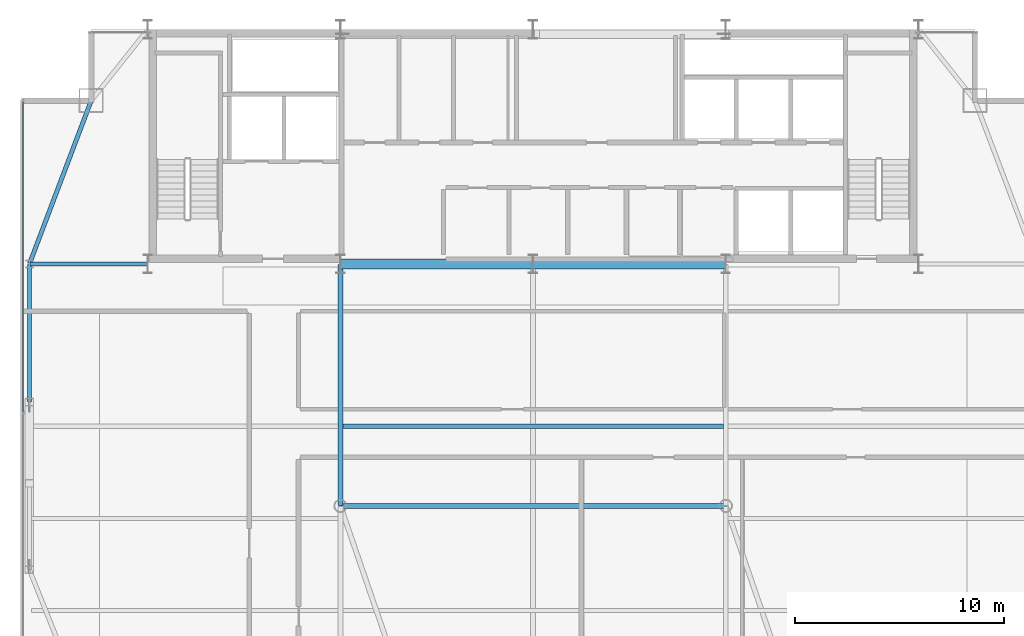
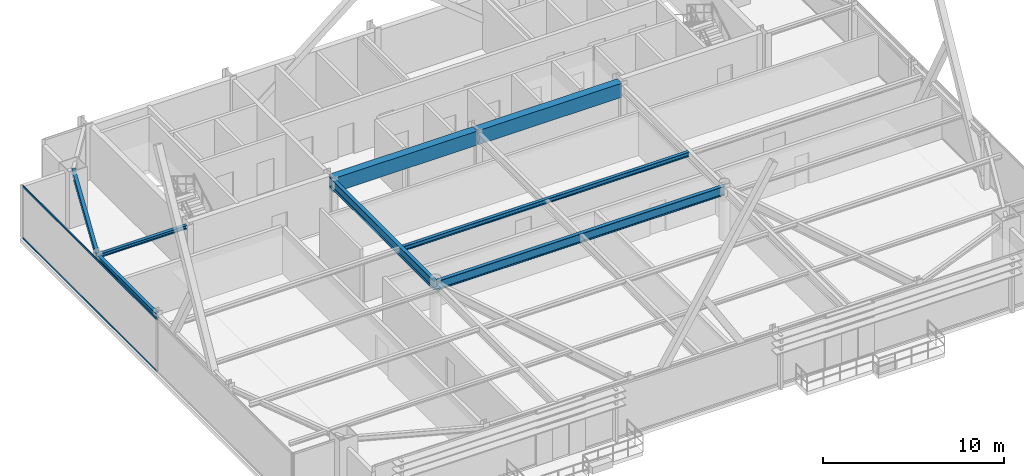
# One storey, part 11 of 31: 8 beams, 2 members, 1 element without a shape of its own.
"""IFC4 building model written with IfcOpenShell, lengths in metres."""

from ifc_helpers import new_model, si_unit, direction, frame, origin, origin_2d, place, context, subcontext, project, spatial, rectangle, hollow_rectangle, i_section, extrude, source, transform, mapped, material, layer, layer_set, material_profile, profile_set, type_object, type_shapes, element, aggregate, save


model = new_model("IFC4")

# Units and contexts
model_context = context("Model", 3, precision=1e-05, world=origin(), true_north=direction((0.0, 1.0)))
body_context = subcontext(model_context, "Body", "Model", "MODEL_VIEW")
ifc_project = project(units=[si_unit("LENGTHUNIT", "METRE"), si_unit("AREAUNIT", "SQUARE_METRE"), si_unit("VOLUMEUNIT", "CUBIC_METRE"), si_unit("PLANEANGLEUNIT", "RADIAN"), si_unit("MASSUNIT", "GRAM", prefix="KILO")], contexts=[model_context])

# Site, building, storey
site_placement = place(None, origin())
site = spatial("IfcSite", under=ifc_project, at=site_placement, CompositionType="ELEMENT")
building_placement = place(site_placement, origin())
building = spatial("IfcBuilding", under=site, at=building_placement, Name="Varnel Quay Broadcast Tower", CompositionType="ELEMENT")
storey_placement = place(building_placement, frame((0.0, 0.0, 239.39990234375)))
storey = spatial("IfcBuildingStorey", under=building, at=storey_placement, Name="L59", CompositionType="ELEMENT", Elevation=239.39990234375)

# Beams
ifc_material_1 = material(Name="Concrete CSA A23.3 C50/60", Category="concrete")
ifc_material_profile_1 = material_profile(ifc_material_1, rectangle(XDim=0.5, YDim=0.949951171875, at=origin_2d()), Name="RC500X950")
ifc_profile_set_1 = profile_set([ifc_material_profile_1], Name="Concrete CSA A23.3 C50/60")
beam_type_1 = type_object("IfcBeamType", Name="Beam_RC500X950", PredefinedType="BEAM", material=ifc_profile_set_1)
shared_shape_1 = source(origin(), body_context, "Body", "SweptSolid", [
    extrude(rectangle(XDim=0.5, YDim=0.949951171875, at=origin_2d()), origin(), (0.0, 0.0, 1.0), 9.159912109375),
])
type_shapes(beam_type_1, [shared_shape_1])
for number, where, z_axis, x_axis, name in (
    (1, (24.820068359375, 35.60009765625, 3.0751953125), (1.0, 0.0, 0.0), (0.0, 1.0, 0.0), "L59 Core Coupling Beam W"),
    (2, (34.02001953125, 35.60009765625, 3.0751953125), (1.0, 0.0, 0.0), (0.0, 1.0, 0.0), "L59 Core Coupling Beam E"),
):
    element("IfcBeam", number, at=place(storey_placement, frame(where, z_axis=z_axis, x_axis=x_axis)), inside=storey, type_object=beam_type_1, Name=name, PredefinedType="BEAM", context=body_context, shape_type="MappedRepresentation", body=[
        mapped(shared_shape_1, transform((0.0, 0.0, 0.0), x_axis=(1.0, 0.0, 0.0), y_axis=(0.0, 1.0, 0.0), z_axis=(0.0, 0.0, 1.0), scale=1.0)),
    ])
ifc_material_2 = material(Name="Structural Steel CSA G40.21 350W", Category="steel")
ifc_material_profile_2 = material_profile(ifc_material_2, i_section(OverallWidth=0.205078125, OverallDepth=0.35400390625, WebThickness=0.009521484375, FlangeThickness=0.016845703125, FilletRadius=0.012939453125, at=origin_2d()), Name="W360X79")
ifc_profile_set_2 = profile_set([ifc_material_profile_2], Name="Structural Steel CSA G40.21 350W")
beam_type_2 = type_object("IfcBeamType", Name="Beam_W360X79", PredefinedType="SPANDREL", material=ifc_profile_set_2)
shared_shape_2 = source(origin(), body_context, "Body", "SweptSolid", [
    extrude(i_section(OverallWidth=0.205078125, OverallDepth=0.35400390625, WebThickness=0.009521484375, FlangeThickness=0.016845703125, FilletRadius=0.012939453125, at=origin_2d()), origin(), (0.0, 0.0, 1.0), 6.56005859375),
])
beam_1_placement = place(storey_placement, frame((9.949951171875, 29.02001953125, 3.373046875), z_axis=(0.0, 1.0, 0.0), x_axis=(-1.0, 0.0, 0.0)))
element("IfcBeam", 3, at=beam_1_placement, inside=storey, type_object=beam_type_2, Name="L59 West Spandrel TC-W2-TC-W3", PredefinedType="SPANDREL", context=body_context, shape_type="MappedRepresentation", body=[
    mapped(shared_shape_2, transform((0.0, 0.0, 0.0), x_axis=(1.0, 0.0, 0.0), y_axis=(0.0, 1.0, 0.0), z_axis=(0.0, 0.0, 1.0), scale=1.0)),
])
shared_shape_3 = source(origin(), body_context, "Body", "SweptSolid", [
    extrude(i_section(OverallWidth=0.205078125, OverallDepth=0.35400390625, WebThickness=0.009521484375, FlangeThickness=0.016845703125, FilletRadius=0.012939453125, at=origin_2d()), origin(), (0.0, 0.0, 1.0), 8.29931640625),
])
type_shapes(beam_type_2, [shared_shape_2, shared_shape_3])
beam_2_placement = place(storey_placement, frame((9.95703125, 35.61865234375, 3.373046875), z_axis=(0.353739782058, 0.935343876117, 0.0), x_axis=(-0.935343876117, 0.353739782058, 0.0)))
element("IfcBeam", 4, at=beam_2_placement, inside=storey, type_object=beam_type_2, Name="L59 West Spandrel TC-W3-MC-NW", PredefinedType="SPANDREL", context=body_context, shape_type="MappedRepresentation", body=[
    mapped(shared_shape_3, transform((0.0, 0.0, 0.0), x_axis=(1.0, 0.0, 0.0), y_axis=(0.0, 1.0, 0.0), z_axis=(0.0, 0.0, 1.0), scale=1.0)),
])
ifc_material_profile_3 = material_profile(ifc_material_2, i_section(OverallWidth=0.22998046875, OverallDepth=0.616943359375, WebThickness=0.01318359375, FlangeThickness=0.022216796875, FilletRadius=0.01611328125, at=origin_2d()), Name="W610X140")
ifc_profile_set_3 = profile_set([ifc_material_profile_3], Name="Structural Steel CSA G40.21 350W")
beam_type_3 = type_object("IfcBeamType", Name="Girder_W610X140", PredefinedType="BEAM", material=ifc_profile_set_3)
shared_shape_4 = source(origin(), body_context, "Body", "SweptSolid", [
    extrude(i_section(OverallWidth=0.22998046875, OverallDepth=0.616943359375, WebThickness=0.01318359375, FlangeThickness=0.022216796875, FilletRadius=0.01611328125, at=origin_2d()), origin(), (0.0, 0.0, 1.0), 11.510009765625),
])
beam_3_placement = place(storey_placement, frame((24.800048828125, 24.070068359375, 3.24169921875), z_axis=(0.0, 1.0, 0.0), x_axis=(-1.0, 0.0, 0.0)))
element("IfcBeam", 5, at=beam_3_placement, inside=storey, type_object=beam_type_3, Name="L59 Primary Girder IC-01-CC-S2", PredefinedType="BEAM", context=body_context, shape_type="MappedRepresentation", body=[
    mapped(shared_shape_4, transform((0.0, 0.0, 0.0), x_axis=(1.0, 0.0, 0.0), y_axis=(0.0, 1.0, 0.0), z_axis=(0.0, 0.0, 1.0), scale=1.0)),
])
shared_shape_5 = source(origin(), body_context, "Body", "SweptSolid", [
    extrude(i_section(OverallWidth=0.22998046875, OverallDepth=0.616943359375, WebThickness=0.01318359375, FlangeThickness=0.022216796875, FilletRadius=0.01611328125, at=origin_2d()), origin(), (0.0, 0.0, 1.0), 18.35986328125),
])
type_shapes(beam_type_3, [shared_shape_4, shared_shape_5])
beam_4_placement = place(storey_placement, frame((24.820068359375, 24.050048828125, 3.24169921875), z_axis=(1.0, 0.0, 0.0), x_axis=(0.0, 1.0, 0.0)))
element("IfcBeam", 6, at=beam_4_placement, inside=storey, type_object=beam_type_3, Name="L59 Interior Spine Girder", PredefinedType="BEAM", context=body_context, shape_type="MappedRepresentation", body=[
    mapped(shared_shape_5, transform((0.0, 0.0, 0.0), x_axis=(1.0, 0.0, 0.0), y_axis=(0.0, 1.0, 0.0), z_axis=(0.0, 0.0, 1.0), scale=1.0)),
])
ifc_material_profile_4 = material_profile(ifc_material_2, i_section(OverallWidth=0.201904296875, OverallDepth=0.2470703125, WebThickness=0.00732421875, FlangeThickness=0.010986328125, FilletRadius=0.010986328125, at=origin_2d()), Name="W250X49")
ifc_profile_set_4 = profile_set([ifc_material_profile_4], Name="Structural Steel CSA G40.21 350W")
beam_type_4 = type_object("IfcBeamType", Name="Beam_W250X49", PredefinedType="JOIST", material=ifc_profile_set_4)
shared_shape_6 = source(origin(), body_context, "Body", "SweptSolid", [
    extrude(i_section(OverallWidth=0.201904296875, OverallDepth=0.2470703125, WebThickness=0.00732421875, FlangeThickness=0.010986328125, FilletRadius=0.010986328125, at=origin_2d()), origin(), (0.0, 0.0, 1.0), 5.610107421875),
])
type_shapes(beam_type_4, [shared_shape_6])
beam_5_placement = place(storey_placement, frame((9.969970703125, 35.60009765625, 3.426513671875), z_axis=(1.0, 0.0, 0.0), x_axis=(0.0, 1.0, 0.0)))
element("IfcBeam", 7, at=beam_5_placement, inside=storey, type_object=beam_type_4, Name="L59 West Core Tie Joist", PredefinedType="JOIST", context=body_context, shape_type="MappedRepresentation", body=[
    mapped(shared_shape_6, transform((0.0, 0.0, 0.0), x_axis=(1.0, 0.0, 0.0), y_axis=(0.0, 1.0, 0.0), z_axis=(0.0, 0.0, 1.0), scale=1.0)),
])
ifc_material_profile_5 = material_profile(ifc_material_2, i_section(OverallWidth=0.202880859375, OverallDepth=0.302978515625, WebThickness=0.007568359375, FlangeThickness=0.01318359375, FilletRadius=0.011962890625, at=origin_2d()), Name="W310X60")
ifc_profile_set_5 = profile_set([ifc_material_profile_5], Name="Structural Steel CSA G40.21 350W")
beam_type_5 = type_object("IfcBeamType", Name="Beam_W310X60", PredefinedType="JOIST", material=ifc_profile_set_5)
shared_shape_7 = source(origin(), body_context, "Body", "SweptSolid", [
    extrude(i_section(OverallWidth=0.202880859375, OverallDepth=0.302978515625, WebThickness=0.007568359375, FlangeThickness=0.01318359375, FilletRadius=0.011962890625, at=origin_2d()), origin(), (0.0, 0.0, 1.0), 18.18017578125),
])
type_shapes(beam_type_5, [shared_shape_7])
beam_6_placement = place(storey_placement, frame((24.909912109375, 27.85009765625, 3.398681640625), z_axis=(1.0, 0.0, 0.0), x_axis=(0.0, 1.0, 0.0)))
element("IfcBeam", 8, at=beam_6_placement, inside=storey, type_object=beam_type_5, Name="L59 Central Floor Joist 4", PredefinedType="JOIST", context=body_context, shape_type="MappedRepresentation", body=[
    mapped(shared_shape_7, transform((0.0, 0.0, 0.0), x_axis=(1.0, 0.0, 0.0), y_axis=(0.0, 1.0, 0.0), z_axis=(0.0, 0.0, 1.0), scale=1.0)),
])

# Curtain wall, members
ifc_material_3 = material(Name="Anodised Bronze Aluminium 6063-T6", Category="aluminium")
ifc_layer = layer(ifc_material_3, 0.18994140625, Name="Anodised Bronze Aluminium 6063-T6")
ifc_layer_set = layer_set([ifc_layer], Name="Anodised Bronze Aluminium 6063-T6")
curtain_wall_type = type_object("IfcCurtainWallType", Name="CW_UpperTower", PredefinedType="NOTDEFINED", material=ifc_layer_set)
curtain_wall_placement = place(storey_placement, origin())
curtain_wall = element("IfcCurtainWall", 9, at=curtain_wall_placement, inside=storey, type_object=curtain_wall_type, Name="L59 West Unitised Curtain Wall", PredefinedType="NOTDEFINED")
ifc_material_profile_6 = material_profile(ifc_material_3, hollow_rectangle(XDim=0.06005859375, YDim=0.125, WallThickness=0.0029296875, at=origin_2d()), Name="ALU60X125X3")
ifc_profile_set_6 = profile_set([ifc_material_profile_6], Name="Anodised Bronze Aluminium 6063-T6")
member_type = type_object("IfcMemberType", Name="Tran_CWS-03", PredefinedType="USERDEFINED", material=ifc_profile_set_6)
shared_shape_8 = source(origin(), body_context, "Body", "SweptSolid", [
    extrude(hollow_rectangle(XDim=0.06005859375, YDim=0.125, WallThickness=0.0029296875, at=origin_2d()), origin(), (0.0, 0.0, 1.0), 14.802490234375),
])
type_shapes(member_type, [shared_shape_8])
member_1_placement = place(storey_placement, frame((9.64990234375, 28.532470703125, 0.030029296875), z_axis=(0.0, 1.0, 0.0), x_axis=(-1.0, 0.0, 0.0)))
member_1 = element("IfcMember", 10, at=member_1_placement, type_object=member_type, Name="CWS-03 transom 2.1", ObjectType="TRANSOM", PredefinedType="USERDEFINED", context=body_context, shape_type="MappedRepresentation", body=[
    mapped(shared_shape_8, transform((0.0, 0.0, 0.0), x_axis=(1.0, 0.0, 0.0), y_axis=(0.0, 1.0, 0.0), z_axis=(0.0, 0.0, 1.0), scale=1.0)),
])
member_2_placement = place(storey_placement, frame((9.64990234375, 28.532470703125, 3.52001953125), z_axis=(0.0, 1.0, 0.0), x_axis=(-1.0, 0.0, 0.0)))
member_2 = element("IfcMember", 11, at=member_2_placement, type_object=member_type, Name="CWS-03 transom 2.2", ObjectType="TRANSOM", PredefinedType="USERDEFINED", context=body_context, shape_type="MappedRepresentation", body=[
    mapped(shared_shape_8, transform((0.0, 0.0, 0.0), x_axis=(1.0, 0.0, 0.0), y_axis=(0.0, 1.0, 0.0), z_axis=(0.0, 0.0, 1.0), scale=1.0)),
])
aggregate(curtain_wall, [member_1, member_2])

save(model, "model.ifc")
